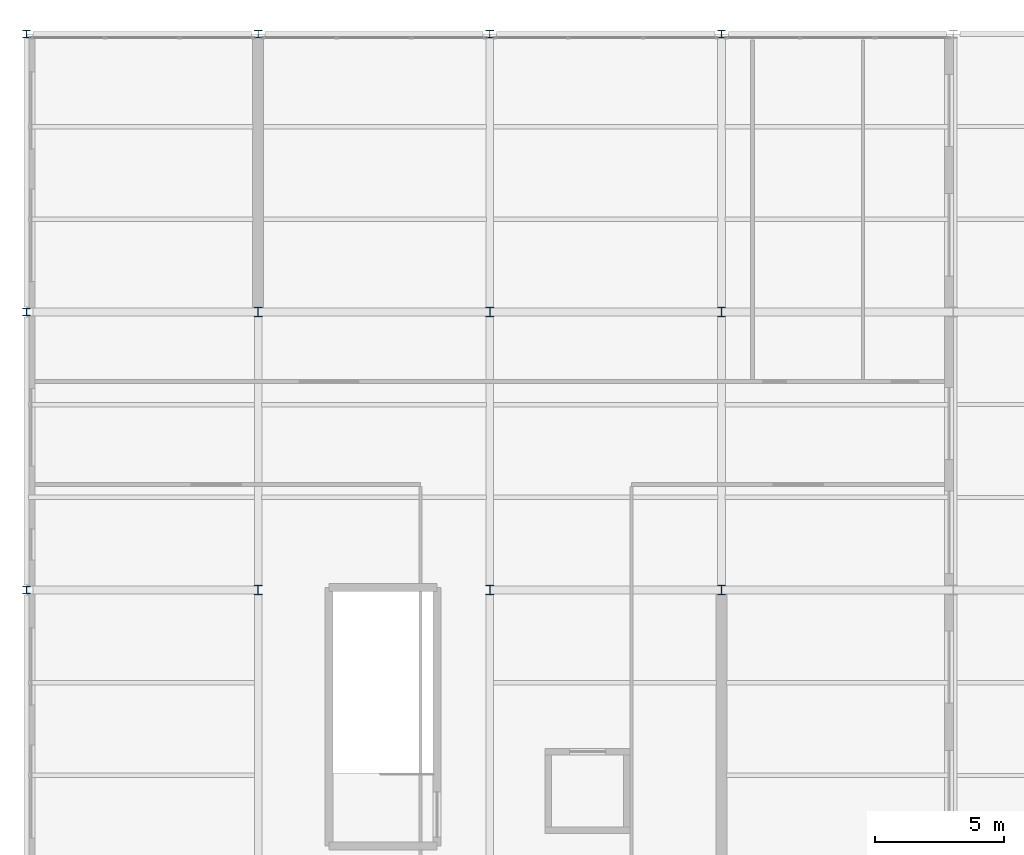
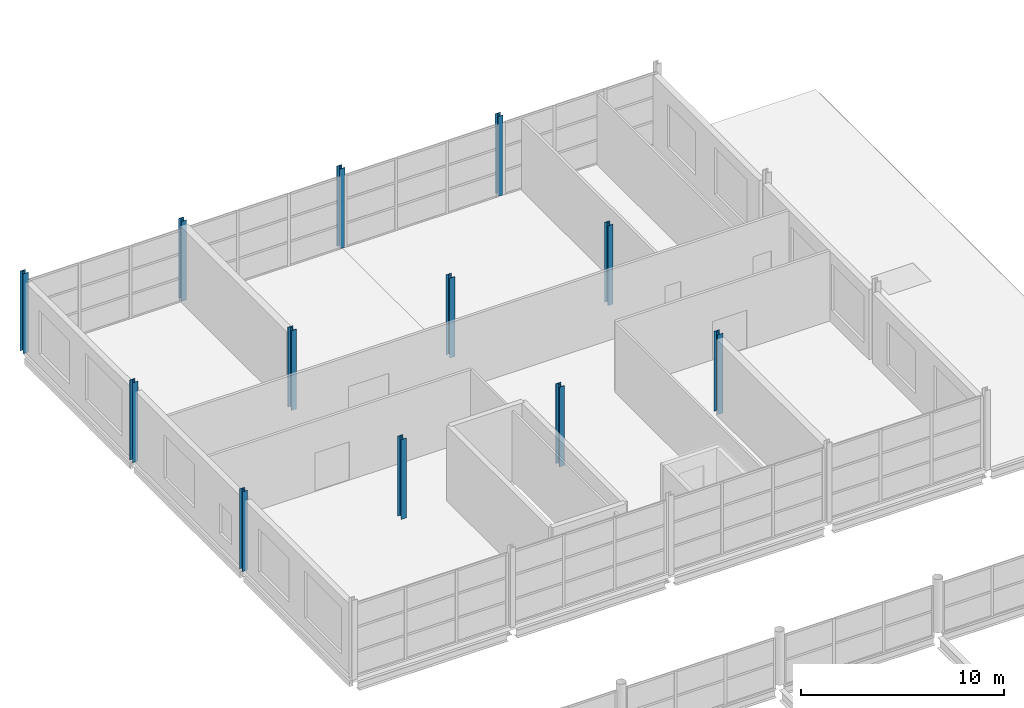
# One storey, part 9 of 134: 12 columns.
"""IFC4 building model written with IfcOpenShell, lengths in metres."""

from ifc_helpers import new_model, si_unit, direction, frame, origin, origin_2d, place, context, subcontext, project, spatial, i_section, extrude, material, material_profile, profile_set, type_object, element, save


model = new_model("IFC4")

# Units and contexts
model_context = context("Model", 3, precision=1e-05, world=origin(), true_north=direction((0.0, 1.0)))
body_context = subcontext(model_context, "Body", "Model", "MODEL_VIEW")
ifc_project = project(units=[si_unit("LENGTHUNIT", "METRE"), si_unit("AREAUNIT", "SQUARE_METRE"), si_unit("VOLUMEUNIT", "CUBIC_METRE"), si_unit("PLANEANGLEUNIT", "RADIAN"), si_unit("MASSUNIT", "GRAM", prefix="KILO")], contexts=[model_context])

# Site, building, storey
site_placement = place(None, origin())
site = spatial("IfcSite", under=ifc_project, at=site_placement, CompositionType="ELEMENT")
building_placement = place(site_placement, origin())
building = spatial("IfcBuilding", under=site, at=building_placement, Name="Tamarisk Ironworks Central Station", CompositionType="ELEMENT")
storey_placement = place(building_placement, frame((0.0, 0.0, 12.60009765625)))
storey = spatial("IfcBuildingStorey", under=building, at=storey_placement, Name="L02", CompositionType="ELEMENT", Elevation=12.60009765625)

# Columns
ifc_material = material(Name="Structural steel S355J2", Category="steel")
ifc_material_profile_1 = material_profile(ifc_material, i_section(OverallWidth=0.300048828125, OverallDepth=0.360107421875, WebThickness=0.012451171875, FlangeThickness=0.0224609375, at=origin_2d()), Name="HEB 360")
ifc_profile_set_1 = profile_set([ifc_material_profile_1], Name="Structural steel S355J2")
column_type_1 = type_object("IfcColumnType", Name="COL-S10", PredefinedType="COLUMN", material=ifc_profile_set_1)
for number, where, z_axis, x_axis, name in (
    (1, (9.0, 100.800048828125, 0.0), (0.0, 0.0, 1.0), (1.0, 0.0, 0.0), "L02 column V4-02J"),
    (2, (9.0, 111.60009765625, 0.0), (0.0, 0.0, 1.0), (1.0, 0.0, 0.0), "L02 column V4-02L"),
    (3, (18.0, 100.800048828125, 0.0), (0.0, 0.0, 1.0), (1.0, 0.0, 0.0), "L02 column V4-03J"),
    (4, (18.0, 111.60009765625, 0.0), (0.0, 0.0, 1.0), (1.0, 0.0, 0.0), "L02 column V4-03L"),
    (5, (27.0, 100.800048828125, 0.0), (0.0, 0.0, 1.0), (1.0, 0.0, 0.0), "L02 column V4-04J"),
    (6, (27.0, 111.60009765625, 0.0), (0.0, 0.0, 1.0), (1.0, 0.0, 0.0), "L02 column V4-04L"),
):
    element("IfcColumn", number, at=place(storey_placement, frame(where, z_axis=z_axis, x_axis=x_axis)), inside=storey, type_object=column_type_1, Name=name, PredefinedType="COLUMN", context=body_context, shape_type="SweptSolid", body=[
        extrude(i_section(OverallWidth=0.300048828125, OverallDepth=0.360107421875, WebThickness=0.012451171875, FlangeThickness=0.0224609375, at=origin_2d()), origin(), (0.0, 0.0, 1.0), 4.7998046875),
    ])
ifc_material_profile_2 = material_profile(ifc_material, i_section(OverallWidth=0.300048828125, OverallDepth=0.300048828125, WebThickness=0.010986328125, FlangeThickness=0.01904296875, at=origin_2d()), Name="HEB 300")
ifc_profile_set_2 = profile_set([ifc_material_profile_2], Name="Structural steel S355J2")
column_type_2 = type_object("IfcColumnType", Name="COL-S12", PredefinedType="COLUMN", material=ifc_profile_set_2)
for number, where, z_axis, x_axis, name in (
    (7, (0.0, 100.800048828125, 0.0), (0.0, 0.0, 1.0), (1.0, 0.0, 0.0), "L02 column V4-01J"),
    (8, (0.0, 111.60009765625, 0.0), (0.0, 0.0, 1.0), (1.0, 0.0, 0.0), "L02 column V4-01L"),
    (9, (0.0, 122.39990234375, 0.0), (0.0, 0.0, 1.0), (1.0, 0.0, 0.0), "L02 column V4-01N"),
    (10, (9.0, 122.39990234375, 0.0), (0.0, 0.0, 1.0), (1.0, 0.0, 0.0), "L02 column V4-02N"),
    (11, (18.0, 122.39990234375, 0.0), (0.0, 0.0, 1.0), (1.0, 0.0, 0.0), "L02 column V4-03N"),
    (12, (27.0, 122.39990234375, 0.0), (0.0, 0.0, 1.0), (1.0, 0.0, 0.0), "L02 column V4-04N"),
):
    element("IfcColumn", number, at=place(storey_placement, frame(where, z_axis=z_axis, x_axis=x_axis)), inside=storey, type_object=column_type_2, Name=name, PredefinedType="COLUMN", context=body_context, shape_type="SweptSolid", body=[
        extrude(i_section(OverallWidth=0.300048828125, OverallDepth=0.300048828125, WebThickness=0.010986328125, FlangeThickness=0.01904296875, at=origin_2d()), origin(), (0.0, 0.0, 1.0), 4.7998046875),
    ])

save(model, "model.ifc")
